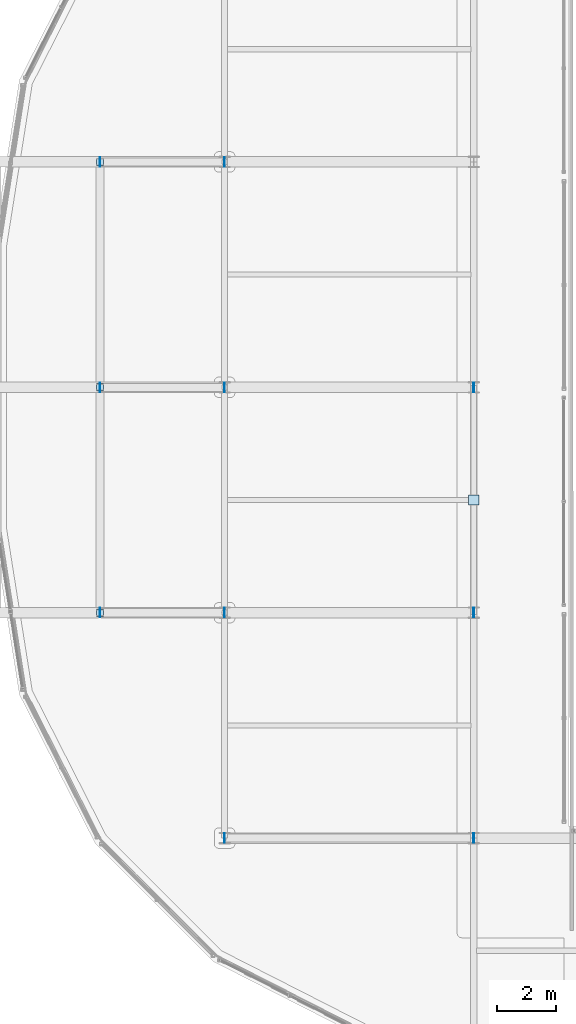
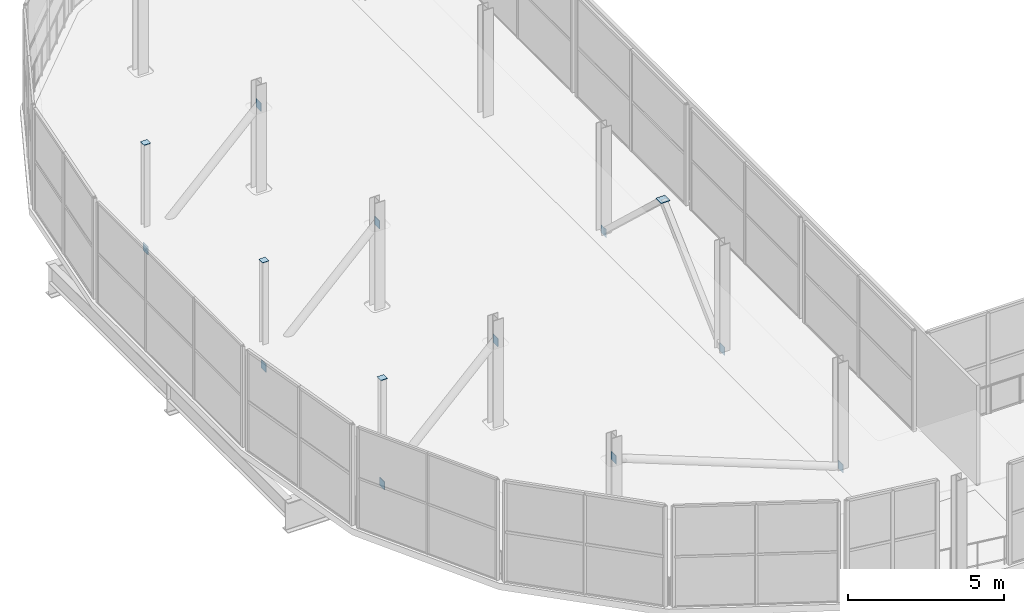
# One storey, part 176 of 217: 14 plates.
"""IFC4 building model written with IfcOpenShell, lengths in metres."""

from ifc_helpers import new_model, si_unit, direction, frame, origin, origin_2d, place, context, subcontext, project, spatial, rectangle, extrude, material, layer, layer_set, type_object, element, save


model = new_model("IFC4")

# Units and contexts
model_context = context("Model", 3, precision=1e-05, world=origin(), true_north=direction((0.0, 1.0)))
body_context = subcontext(model_context, "Body", "Model", "MODEL_VIEW")
ifc_project = project(units=[si_unit("LENGTHUNIT", "METRE"), si_unit("AREAUNIT", "SQUARE_METRE"), si_unit("VOLUMEUNIT", "CUBIC_METRE"), si_unit("PLANEANGLEUNIT", "RADIAN"), si_unit("MASSUNIT", "GRAM", prefix="KILO")], contexts=[model_context])

# Site, building, storey
site_placement = place(None, origin())
site = spatial("IfcSite", under=ifc_project, at=site_placement, CompositionType="ELEMENT")
building_placement = place(site_placement, origin())
building = spatial("IfcBuilding", under=site, at=building_placement, Name="Zuvorla Pavilion Media Centre", CompositionType="ELEMENT")
storey_placement = place(building_placement, frame((0.0, 0.0, 9.60009765625)))
storey = spatial("IfcBuildingStorey", under=building, at=storey_placement, Name="L02", CompositionType="ELEMENT", Elevation=9.60009765625)

# Plates
ifc_material = material(Name="Steel S355", Category="steel")
ifc_layer_1 = layer(ifc_material, 0.01611328125)
ifc_layer_set_1 = layer_set([ifc_layer_1], Name="Steel S355")
plate_type_1 = type_object("IfcPlateType", Name="PLT-CAP-16", PredefinedType="USERDEFINED", material=ifc_layer_set_1)
for number, where, z_axis, x_axis, name in (
    (1, (12.199951171875, 59.199951171875, 3.271728515625), (0.0, 0.0, 1.0), (1.0, 0.0, 0.0), "L02 cap plate CP16 173"),
    (2, (12.199951171875, 66.800048828125, 3.271728515625), (0.0, 0.0, 1.0), (1.0, 0.0, 0.0), "L02 cap plate CP16 179"),
    (3, (12.199951171875, 74.39990234375, 3.271728515625), (0.0, 0.0, 1.0), (1.0, 0.0, 0.0), "L02 cap plate CP16 185"),
):
    element("IfcPlate", number, at=place(storey_placement, frame(where, z_axis=z_axis, x_axis=x_axis)), inside=storey, type_object=plate_type_1, Name=name, ObjectType="CAP_PLATE", PredefinedType="USERDEFINED", context=body_context, shape_type="SweptSolid", body=[
        extrude(rectangle(XDim=0.239990234375, YDim=0.239990234375, at=origin_2d()), origin(), (0.0, 0.0, 1.0), 0.01611328125),
    ])
ifc_layer_2 = layer(ifc_material, 0.02197265625)
ifc_layer_set_2 = layer_set([ifc_layer_2], Name="Steel S355")
plate_type_2 = type_object("IfcPlateType", Name="PLT-CAP-22", PredefinedType="USERDEFINED", material=ifc_layer_set_2)
plate_placement = place(storey_placement, frame((24.800048828125, 63.0, 3.538818359375), z_axis=(0.0, 0.0, 1.0), x_axis=(1.0, 0.0, 0.0)))
element("IfcPlate", 4, at=plate_placement, inside=storey, type_object=plate_type_2, Name="L02 cap plate CP22 167", ObjectType="CAP_PLATE", PredefinedType="USERDEFINED", context=body_context, shape_type="SweptSolid", body=[
    extrude(rectangle(XDim=0.340087890625, YDim=0.340087890625, at=origin_2d()), origin(), (0.0, 0.0, 1.0), 0.02197265625),
])
ifc_layer_3 = layer(ifc_material, 0.02001953125)
ifc_layer_set_3 = layer_set([ifc_layer_3], Name="Steel S355")
plate_type_3 = type_object("IfcPlateType", Name="PLT-GUS-20", PredefinedType="USERDEFINED", material=ifc_layer_set_3)
for number, where, z_axis, x_axis, name in (
    (5, (16.39990234375, 59.199951171875, 3.11962890625), (0.0, 0.0, 1.0), (1.0, 0.0, 0.0), "L02 gusset plate GP20 171"),
    (6, (12.199951171875, 59.199951171875, -1.0302734375), (0.0, 0.0, 1.0), (1.0, 0.0, 0.0), "L02 gusset plate GP20 172"),
    (7, (16.39990234375, 66.800048828125, 3.11962890625), (0.0, 0.0, 1.0), (1.0, 0.0, 0.0), "L02 gusset plate GP20 177"),
    (8, (12.199951171875, 66.800048828125, -1.0302734375), (0.0, 0.0, 1.0), (1.0, 0.0, 0.0), "L02 gusset plate GP20 178"),
    (9, (16.39990234375, 74.39990234375, 3.11962890625), (0.0, 0.0, 1.0), (1.0, 0.0, 0.0), "L02 gusset plate GP20 183"),
    (10, (12.199951171875, 74.39990234375, -1.0302734375), (0.0, 0.0, 1.0), (1.0, 0.0, 0.0), "L02 gusset plate GP20 184"),
    (11, (24.800048828125, 51.60009765625, -0.16015625), (0.0, 0.0, 1.0), (1.0, 0.0, 0.0), "L02 gusset plate GP20 201"),
    (12, (16.39990234375, 51.60009765625, 3.11962890625), (0.0, 0.0, 1.0), (1.0, 0.0, 0.0), "L02 gusset plate GP20 202"),
    (13, (24.800048828125, 59.199951171875, -0.16015625), (0.0, 0.0, 1.0), (1.0, 0.0, 0.0), "L02 gusset plate GP20 521"),
    (14, (24.800048828125, 66.800048828125, -0.16015625), (0.0, 0.0, 1.0), (1.0, 0.0, 0.0), "L02 gusset plate GP20 522"),
):
    element("IfcPlate", number, at=place(storey_placement, frame(where, z_axis=z_axis, x_axis=x_axis)), inside=storey, type_object=plate_type_3, Name=name, ObjectType="GUSSET_PLATE", PredefinedType="USERDEFINED", context=body_context, shape_type="SweptSolid", body=[
        extrude(rectangle(XDim=0.02001953125, YDim=0.320068359375, at=origin_2d()), origin(), (0.0, 0.0, 1.0), 0.320068359375),
    ])

save(model, "model.ifc")
